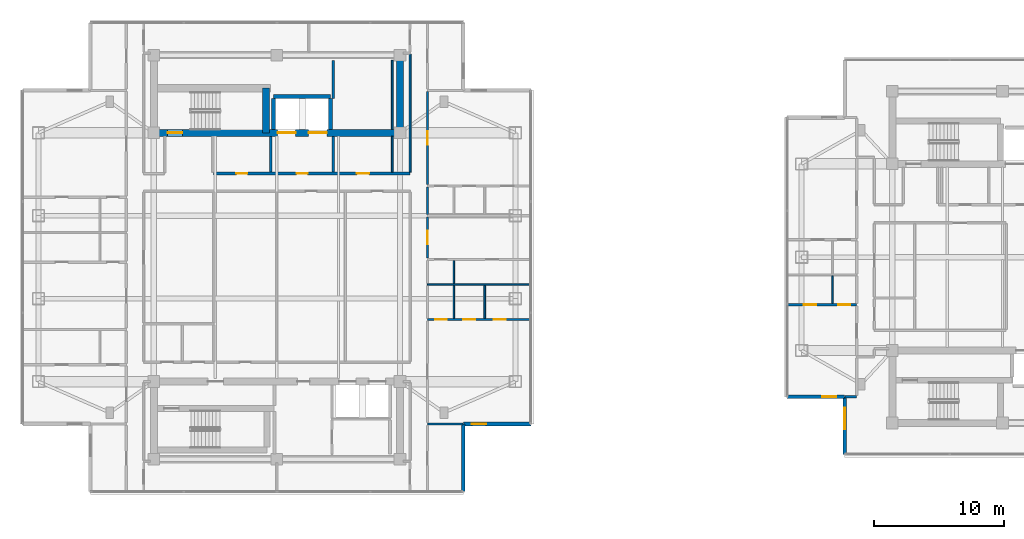
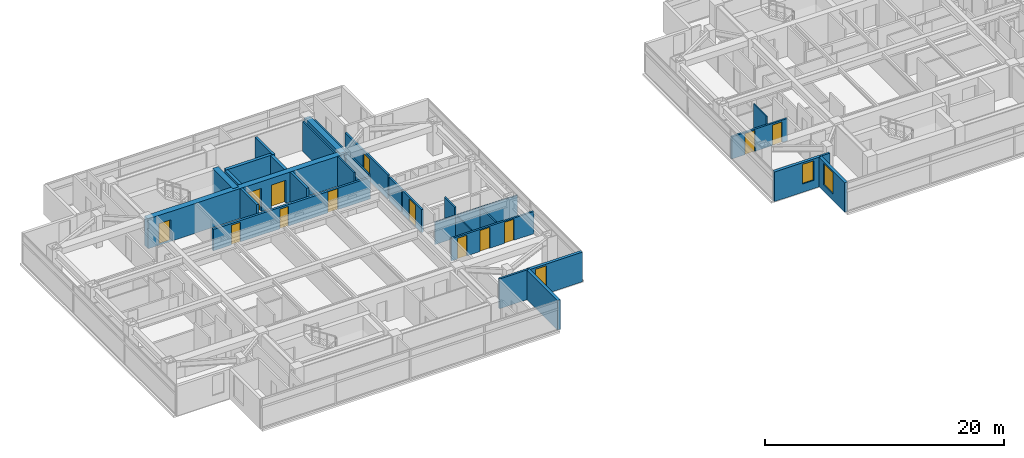
# One storey, part 14 of 24: 29 walls, 13 doors, 3 windows, 16 openings.
"""IFC4 building model written with IfcOpenShell, lengths in metres."""

from ifc_helpers import new_model, si_unit, direction, frame, frame_2d, origin, place, context, subcontext, project, spatial, rectangle, extrude, material, layer, layer_set, type_object, element, fill, save


model = new_model("IFC4")

# Units and contexts
model_context = context("Model", 3, precision=1e-05, world=origin(), true_north=direction((0.0, 1.0)))
body_context = subcontext(model_context, "Body", "Model", "MODEL_VIEW")
ifc_project = project(units=[si_unit("LENGTHUNIT", "METRE"), si_unit("AREAUNIT", "SQUARE_METRE"), si_unit("VOLUMEUNIT", "CUBIC_METRE"), si_unit("PLANEANGLEUNIT", "RADIAN"), si_unit("MASSUNIT", "GRAM", prefix="KILO")], contexts=[model_context])

# Site, building, storey
site_placement = place(None, origin())
site = spatial("IfcSite", under=ifc_project, at=site_placement, CompositionType="ELEMENT")
building_placement = place(site_placement, origin())
building = spatial("IfcBuilding", under=site, at=building_placement, Name="Mirazonda Arch Towers", CompositionType="ELEMENT")
storey_placement = place(building_placement, frame((0.0, 0.0, 186.89990234375)))
storey = spatial("IfcBuildingStorey", under=building, at=storey_placement, Name="L53", CompositionType="ELEMENT", Elevation=186.89990234375)

# Wall
ifc_material_1 = material(Name="Concrete C50/60", Category="concrete")
ifc_layer_1 = layer(ifc_material_1, 0.550048828125, Name="WALL-CORE-550")
ifc_layer_set_1 = layer_set([ifc_layer_1], Name="Concrete C50/60")
wall_type_1 = type_object("IfcWallType", Name="WALL-CORE-550", PredefinedType="SHEAR", material=ifc_layer_set_1)
wall_1_placement = place(storey_placement, frame((30.0, 37.60009765625, 0.0), z_axis=(0.0, 0.0, 1.0), x_axis=(0.0, 1.0, 0.0)))
element("IfcWall", 1, at=wall_1_placement, inside=storey, type_object=wall_type_1, Name="L53 T1N-E Core Shear Wall", PredefinedType="SHEAR", context=body_context, shape_type="SweptSolid", body=[
    extrude(rectangle(XDim=6.0, YDim=0.550048828125, at=frame_2d((3.0, 0.0))), origin(), (0.0, 0.0, 1.0), 3.050048828125),
])

# Wall, openings, doors
wall_2_placement = place(storey_placement, frame((11.0, 37.60009765625, 0.0), z_axis=(0.0, 0.0, 1.0), x_axis=(1.0, 0.0, 0.0)))
wall_2 = element("IfcWall", 2, at=wall_2_placement, inside=storey, type_object=wall_type_1, Name="L53 T1N-S Core Shear Wall", PredefinedType="SHEAR", context=body_context, shape_type="SweptSolid", body=[
    extrude(rectangle(XDim=19.0, YDim=0.550048828125, at=frame_2d((9.5, 0.0))), origin(), (0.0, 0.0, 1.0), 3.050048828125),
])
opening_1_placement = place(wall_2_placement, frame((1.06005859375, 0.0, 0.0)))
opening_1 = element("IfcOpeningElement", 3, at=opening_1_placement, cuts=wall_2, Name="Opening DR-135", PredefinedType="OPENING", context=body_context, shape_type="SweptSolid", body=[
    extrude(rectangle(XDim=1.14990234375, YDim=2.199951171875, at=frame_2d((0.574951171875, 1.10009765625))), frame((0.0, 0.284912109375, 0.0), z_axis=(0.0, -1.0, 0.0), x_axis=(1.0, 0.0, 0.0)), (0.0, 0.0, 1.0), 0.570068359375),
])
opening_2_placement = place(wall_2_placement, frame((9.550048828125, 0.0, 0.0)))
opening_2 = element("IfcOpeningElement", 4, at=opening_2_placement, cuts=wall_2, Name="Opening LD-112", PredefinedType="OPENING", context=body_context, shape_type="SweptSolid", body=[
    extrude(rectangle(XDim=1.39990234375, YDim=2.35009765625, at=frame_2d((0.699951171875, 1.175048828125))), frame((0.0, 0.284912109375, 0.0), z_axis=(0.0, -1.0, 0.0), x_axis=(1.0, 0.0, 0.0)), (0.0, 0.0, 1.0), 0.570068359375),
])
opening_3_placement = place(wall_2_placement, frame((11.949951171875, 0.0, 0.0)))
opening_3 = element("IfcOpeningElement", 5, at=opening_3_placement, cuts=wall_2, Name="Opening LD-112", PredefinedType="OPENING", context=body_context, shape_type="SweptSolid", body=[
    extrude(rectangle(XDim=1.39990234375, YDim=2.35009765625, at=frame_2d((0.699951171875, 1.175048828125))), frame((0.0, 0.284912109375, 0.0), z_axis=(0.0, -1.0, 0.0), x_axis=(1.0, 0.0, 0.0)), (0.0, 0.0, 1.0), 0.570068359375),
])
ifc_material_2 = material(Name="Architectural Brushed Steel S355", Category="steel")
door_type_1 = type_object("IfcDoorType", Name="DOOR-LIFT-FFL-1400", OperationType="NOTDEFINED", PredefinedType="DOOR", material=ifc_material_2)
door_1_placement = place(opening_2_placement, origin())
door_1 = element("IfcDoor", 6, at=door_1_placement, inside=storey, type_object=door_type_1, Name="L53 Lift Landing Sliding Door FFL-T1", OperationType="DOUBLE_DOOR_SLIDING", OverallHeight=2.35009765625, OverallWidth=1.39990234375, PredefinedType="DOOR", context=body_context, shape_type="SweptSolid", body=[
    extrude(rectangle(XDim=1.39990234375, YDim=2.35009765625, at=frame_2d((0.699951171875, 1.175048828125))), frame((0.0, 0.02490234375, 0.0), z_axis=(0.0, -1.0, 0.0), x_axis=(1.0, 0.0, 0.0)), (0.0, 0.0, 1.0), 0.050048828125),
])
fill(opening_2, door_1)
door_2_placement = place(opening_3_placement, origin())
door_2 = element("IfcDoor", 7, at=door_2_placement, inside=storey, type_object=door_type_1, Name="L53 Lift Landing Sliding Door SVL-T1", OperationType="DOUBLE_DOOR_SLIDING", OverallHeight=2.35009765625, OverallWidth=1.39990234375, PredefinedType="DOOR", context=body_context, shape_type="SweptSolid", body=[
    extrude(rectangle(XDim=1.39990234375, YDim=2.35009765625, at=frame_2d((0.699951171875, 1.175048828125))), frame((0.0, 0.02490234375, 0.0), z_axis=(0.0, -1.0, 0.0), x_axis=(1.0, 0.0, 0.0)), (0.0, 0.0, 1.0), 0.050048828125),
])
fill(opening_3, door_2)
door_type_2 = type_object("IfcDoorType", Name="DOOR-STAIR-FD90-1150", OperationType="NOTDEFINED", PredefinedType="DOOR", material=ifc_material_2)
door_3_placement = place(opening_1_placement, origin())
door_3 = element("IfcDoor", 8, at=door_3_placement, inside=storey, type_object=door_type_2, Name="L53 Protected Exit Stair North Door", OperationType="SINGLE_SWING_LEFT", OverallHeight=2.199951171875, OverallWidth=1.14990234375, PredefinedType="DOOR", context=body_context, shape_type="SweptSolid", body=[
    extrude(rectangle(XDim=1.14990234375, YDim=2.199951171875, at=frame_2d((0.574951171875, 1.10009765625))), frame((0.0, 0.02490234375, 0.0), z_axis=(0.0, -1.0, 0.0), x_axis=(1.0, 0.0, 0.0)), (0.0, 0.0, 1.0), 0.050048828125),
])
fill(opening_1, door_3)

# Wall
wall_3_placement = place(storey_placement, frame((19.64990234375, 37.60009765625, 0.0), z_axis=(0.0, 0.0, 1.0), x_axis=(0.0, 1.0, 0.0)))
element("IfcWall", 9, at=wall_3_placement, inside=storey, type_object=wall_type_1, Name="L53 T1N-STE Core Shear Wall", PredefinedType="SHEAR", context=body_context, shape_type="SweptSolid", body=[
    extrude(rectangle(XDim=3.44287109375, YDim=0.550048828125, at=frame_2d((1.721435546875, 0.0))), origin(), (0.0, 0.0, 1.0), 3.050048828125),
])

# Wall, opening, window
ifc_material_3 = material(Name="Precast Concrete C40/50", Category="concrete")
ifc_layer_2 = layer(ifc_material_3, 0.280029296875, Name="WALL-EXT-WALL-280")
ifc_layer_set_2 = layer_set([ifc_layer_2], Name="Precast Concrete C40/50")
wall_type_2 = type_object("IfcWallType", Name="WALL-EXT-WALL-280", PredefinedType="SOLIDWALL", material=ifc_layer_set_2)
wall_4_placement = place(storey_placement, frame((34.89501953125, 15.126953125, 0.0), z_axis=(0.0, 0.0, 1.0), x_axis=(1.0, 0.0, 0.0)))
wall_4 = element("IfcWall", 10, at=wall_4_placement, inside=storey, type_object=wall_type_2, Name="L53 T1 Corner Notch Return Wall WL-L53-T1-CSE1", PredefinedType="SOLIDWALL", context=body_context, shape_type="SweptSolid", body=[
    extrude(rectangle(XDim=5.215087890625, YDim=0.280029296875, at=frame_2d((2.607421875, 0.0))), origin(), (0.0, 0.0, 1.0), 3.030029296875),
])
opening_4_placement = place(wall_4_placement, frame((0.64990234375, 0.0, 0.85009765625)))
opening_4 = element("IfcOpeningElement", 11, at=opening_4_placement, cuts=wall_4, Name="Opening WN-108", PredefinedType="OPENING", context=body_context, shape_type="SweptSolid", body=[
    extrude(rectangle(XDim=1.10009765625, YDim=2.0, at=frame_2d((0.550048828125, 1.0))), frame((0.0, 0.14990234375, 0.0), z_axis=(0.0, -1.0, 0.0), x_axis=(1.0, 0.0, 0.0)), (0.0, 0.0, 1.0), 0.300048828125),
])
ifc_material_4 = material(Name="Insulated Low-E Solar Glass", Category="glass")
window_type_1 = type_object("IfcWindowType", Name="WIN-NOTCH-1100x2000", PartitioningType="SINGLE_PANEL", PredefinedType="WINDOW", material=ifc_material_4)
window_1_placement = place(opening_4_placement, origin())
window_1 = element("IfcWindow", 12, at=window_1_placement, inside=storey, type_object=window_type_1, Name="L53 Punched Facade Window WN-L53-T1-CSE1", OverallHeight=2.0, OverallWidth=1.10009765625, PartitioningType="SINGLE_PANEL", PredefinedType="WINDOW", context=body_context, shape_type="SweptSolid", body=[
    extrude(rectangle(XDim=1.10009765625, YDim=2.0, at=frame_2d((0.550048828125, 1.0))), frame((0.0, 0.030029296875, 0.0), z_axis=(0.0, -1.0, 0.0), x_axis=(1.0, 0.0, 0.0)), (0.0, 0.0, 1.0), 0.06005859375),
])
fill(opening_4, window_1)

# Wall
wall_5_placement = place(storey_placement, frame((34.89501953125, 9.912109375, 0.0), z_axis=(0.0, 0.0, 1.0), x_axis=(0.0, 1.0, 0.0)))
element("IfcWall", 13, at=wall_5_placement, inside=storey, type_object=wall_type_2, Name="L53 T1 Corner Notch Return Wall WL-L53-T1-CSE2", PredefinedType="SOLIDWALL", context=body_context, shape_type="SweptSolid", body=[
    extrude(rectangle(XDim=5.21484375, YDim=0.280029296875, at=frame_2d((2.607421875, 0.0))), origin(), (0.0, 0.0, 1.0), 3.030029296875),
])

# Wall, opening, window
wall_6_placement = place(storey_placement, frame((64.32421875, 17.218017578125, 0.0), z_axis=(0.0, 0.0, 1.0), x_axis=(0.0, -1.0, 0.0)))
wall_6 = element("IfcWall", 14, at=wall_6_placement, inside=storey, type_object=wall_type_2, Name="L53 T2 Notched SW Corner Wall WL-L53-T2-CSW", PredefinedType="SOLIDWALL", context=body_context, shape_type="SweptSolid", body=[
    extrude(rectangle(XDim=4.439697265625, YDim=0.280029296875, at=frame_2d((2.2197265625, 0.0))), origin(), (0.0, 0.0, 1.0), 3.030029296875),
])
opening_5_placement = place(wall_6_placement, frame((0.85009765625, 0.0, 0.679931640625)))
opening_5 = element("IfcOpeningElement", 15, at=opening_5_placement, cuts=wall_6, Name="Opening WN-115", PredefinedType="OPENING", context=body_context, shape_type="SweptSolid", body=[
    extrude(rectangle(XDim=1.64990234375, YDim=2.199951171875, at=frame_2d((0.824951171875, 1.10009765625))), frame((0.0, 0.14990234375, 0.0), z_axis=(0.0, -1.0, 0.0), x_axis=(1.0, 0.0, 0.0)), (0.0, 0.0, 1.0), 0.300048828125),
])
window_type_2 = type_object("IfcWindowType", Name="WIN-RES-1650x2200", PartitioningType="SINGLE_PANEL", PredefinedType="WINDOW", material=ifc_material_4)
window_2_placement = place(opening_5_placement, origin())
window_2 = element("IfcWindow", 16, at=window_2_placement, inside=storey, type_object=window_type_2, Name="L53 Punched Facade Window WN-L53-T2-CSW", OverallHeight=2.199951171875, OverallWidth=1.64990234375, PartitioningType="SINGLE_PANEL", PredefinedType="WINDOW", context=body_context, shape_type="SweptSolid", body=[
    extrude(rectangle(XDim=1.64990234375, YDim=2.199951171875, at=frame_2d((0.824951171875, 1.10009765625))), frame((0.0, 0.030029296875, 0.0), z_axis=(0.0, -1.0, 0.0), x_axis=(1.0, 0.0, 0.0)), (0.0, 0.0, 1.0), 0.06005859375),
])
fill(opening_5, window_2)

wall_7_placement = place(storey_placement, frame((59.884521484375, 17.218017578125, 0.0), z_axis=(0.0, 0.0, 1.0), x_axis=(1.0, 0.0, 0.0)))
wall_7 = element("IfcWall", 17, at=wall_7_placement, inside=storey, type_object=wall_type_2, Name="L53 T2 Corner Notch Return Wall WL-L53-T2-CSW2", PredefinedType="SOLIDWALL", context=body_context, shape_type="SweptSolid", body=[
    extrude(rectangle(XDim=4.439697265625, YDim=0.280029296875, at=frame_2d((2.2197265625, 0.0))), origin(), (0.0, 0.0, 1.0), 3.030029296875),
])
opening_6_placement = place(wall_7_placement, frame((2.68994140625, 0.0, 0.85009765625)))
opening_6 = element("IfcOpeningElement", 18, at=opening_6_placement, cuts=wall_7, Name="Opening WN-108", PredefinedType="OPENING", context=body_context, shape_type="SweptSolid", body=[
    extrude(rectangle(XDim=1.10009765625, YDim=2.0, at=frame_2d((0.550048828125, 1.0))), frame((0.0, 0.14990234375, 0.0), z_axis=(0.0, -1.0, 0.0), x_axis=(1.0, 0.0, 0.0)), (0.0, 0.0, 1.0), 0.300048828125),
])
window_3_placement = place(opening_6_placement, origin())
window_3 = element("IfcWindow", 19, at=window_3_placement, inside=storey, type_object=window_type_1, Name="L53 Punched Facade Window WN-L53-T2-CSW2", OverallHeight=2.0, OverallWidth=1.10009765625, PartitioningType="SINGLE_PANEL", PredefinedType="WINDOW", context=body_context, shape_type="SweptSolid", body=[
    extrude(rectangle(XDim=1.10009765625, YDim=2.0, at=frame_2d((0.550048828125, 1.0))), frame((0.0, 0.030029296875, 0.0), z_axis=(0.0, -1.0, 0.0), x_axis=(1.0, 0.0, 0.0)), (0.0, 0.0, 1.0), 0.06005859375),
])
fill(opening_6, window_3)

# Wall, openings, doors
ifc_material_5 = material(Name="Concrete C40/50", Category="concrete")
ifc_layer_3 = layer(ifc_material_5, 0.219970703125, Name="WALL-FFL-220")
ifc_layer_set_3 = layer_set([ifc_layer_3], Name="Concrete C40/50")
wall_type_3 = type_object("IfcWallType", Name="WALL-FFL-220", PredefinedType="SOLIDWALL", material=ifc_layer_set_3)
wall_8_placement = place(storey_placement, frame((15.590087890625, 34.449951171875, 0.0), z_axis=(0.0, 0.0, 1.0), x_axis=(1.0, 0.0, 0.0)))
wall_8 = element("IfcWall", 20, at=wall_8_placement, inside=storey, type_object=wall_type_3, Name="L53 Interior Partition 049", PredefinedType="SOLIDWALL", context=body_context, shape_type="SweptSolid", body=[
    extrude(rectangle(XDim=15.18994140625, YDim=0.219970703125, at=frame_2d((7.594970703125, 0.0))), origin(), (0.0, 0.0, 1.0), 2.18603515625),
])
opening_7_placement = place(wall_8_placement, frame((6.43505859375, 0.0, 0.0)))
opening_7 = element("IfcOpeningElement", 21, at=opening_7_placement, cuts=wall_8, Name="Opening DR-128", PredefinedType="OPENING", context=body_context, shape_type="SweptSolid", body=[
    extrude(rectangle(XDim=0.85009765625, YDim=2.010009765625, at=frame_2d((0.425048828125, 1.0048828125))), frame((0.0, 0.119873046875, 0.0), z_axis=(0.0, -1.0, 0.0), x_axis=(1.0, 0.0, 0.0)), (0.0, 0.0, 1.0), 0.239990234375),
])
opening_8_placement = place(wall_8_placement, frame((11.0849609375, 0.0, 0.0)))
opening_8 = element("IfcOpeningElement", 22, at=opening_8_placement, cuts=wall_8, Name="Opening DR-104", PredefinedType="OPENING", context=body_context, shape_type="SweptSolid", body=[
    extrude(rectangle(XDim=0.949951171875, YDim=2.14990234375, at=frame_2d((0.47509765625, 1.074951171875))), frame((0.0, 0.119873046875, 0.0), z_axis=(0.0, -1.0, 0.0), x_axis=(1.0, 0.0, 0.0)), (0.0, 0.0, 1.0), 0.239990234375),
])
opening_9_placement = place(wall_8_placement, frame((1.77490234375, 0.0, 0.0)))
opening_9 = element("IfcOpeningElement", 23, at=opening_9_placement, cuts=wall_8, Name="Opening DR-128", PredefinedType="OPENING", context=body_context, shape_type="SweptSolid", body=[
    extrude(rectangle(XDim=0.85009765625, YDim=2.010009765625, at=frame_2d((0.425048828125, 1.0048828125))), frame((0.0, 0.119873046875, 0.0), z_axis=(0.0, -1.0, 0.0), x_axis=(1.0, 0.0, 0.0)), (0.0, 0.0, 1.0), 0.239990234375),
])
door_type_3 = type_object("IfcDoorType", Name="DOOR-RISER-FD60-850", OperationType="NOTDEFINED", PredefinedType="DOOR", material=ifc_material_2)
door_4_placement = place(opening_7_placement, origin())
door_4 = element("IfcDoor", 24, at=door_4_placement, inside=storey, type_object=door_type_3, Name="L53 Firefighting Lift Lobby Door", OperationType="SINGLE_SWING_RIGHT", OverallHeight=2.010009765625, OverallWidth=0.85009765625, PredefinedType="DOOR", context=body_context, shape_type="SweptSolid", body=[
    extrude(rectangle(XDim=0.85009765625, YDim=2.010009765625, at=frame_2d((0.425048828125, 1.0048828125))), frame((0.0, 0.02490234375, 0.0), z_axis=(0.0, -1.0, 0.0), x_axis=(1.0, 0.0, 0.0)), (0.0, 0.0, 1.0), 0.050048828125),
])
fill(opening_7, door_4)
door_5_placement = place(opening_9_placement, origin())
door_5 = element("IfcDoor", 25, at=door_5_placement, inside=storey, type_object=door_type_3, Name="L53 Housekeeping Linen Room Door", OperationType="SINGLE_SWING_RIGHT", OverallHeight=2.010009765625, OverallWidth=0.85009765625, PredefinedType="DOOR", context=body_context, shape_type="SweptSolid", body=[
    extrude(rectangle(XDim=0.85009765625, YDim=2.010009765625, at=frame_2d((0.425048828125, 1.0048828125))), frame((0.0, 0.02490234375, 0.0), z_axis=(0.0, -1.0, 0.0), x_axis=(1.0, 0.0, 0.0)), (0.0, 0.0, 1.0), 0.050048828125),
])
fill(opening_9, door_5)
door_type_4 = type_object("IfcDoorType", Name="DOOR-ROOM-950", OperationType="NOTDEFINED", PredefinedType="DOOR", material=ifc_material_2)
door_6_placement = place(opening_8_placement, origin())
door_6 = element("IfcDoor", 26, at=door_6_placement, inside=storey, type_object=door_type_4, Name="L53 Residents Private Art Gallery Door", OperationType="SINGLE_SWING_LEFT", OverallHeight=2.14990234375, OverallWidth=0.949951171875, PredefinedType="DOOR", context=body_context, shape_type="SweptSolid", body=[
    extrude(rectangle(XDim=0.949951171875, YDim=2.14990234375, at=frame_2d((0.47509765625, 1.074951171875))), frame((0.0, 0.02490234375, 0.0), z_axis=(0.0, -1.0, 0.0), x_axis=(1.0, 0.0, 0.0)), (0.0, 0.0, 1.0), 0.050048828125),
])
fill(opening_8, door_6)

# Walls
for number, where, z_axis, x_axis, name in (
    (27, (20.02490234375, 34.570068359375, 0.0), (0.0, 0.0, 1.0), (0.0, 1.0, 0.0), "L53 Interior Partition 084"),
    (28, (24.85009765625, 34.570068359375, 0.0), (0.0, 0.0, 1.0), (0.0, 1.0, 0.0), "L53 Interior Partition 094"),
):
    element("IfcWall", number, at=place(storey_placement, frame(where, z_axis=z_axis, x_axis=x_axis)), inside=storey, type_object=wall_type_3, Name=name, PredefinedType="SOLIDWALL", context=body_context, shape_type="SweptSolid", body=[
        extrude(rectangle(XDim=2.760009765625, YDim=0.219970703125, at=frame_2d((1.3798828125, 0.0))), origin(), (0.0, 0.0, 1.0), 3.050048828125),
    ])
wall_9_placement = place(storey_placement, frame((24.85009765625, 40.260009765625, 0.0), z_axis=(0.0, 0.0, 1.0), x_axis=(0.0, 1.0, 0.0)))
element("IfcWall", 29, at=wall_9_placement, inside=storey, type_object=wall_type_3, Name="L53 Interior Partition 095", PredefinedType="SOLIDWALL", context=body_context, shape_type="SweptSolid", body=[
    extrude(rectangle(XDim=2.93994140625, YDim=0.219970703125, at=frame_2d((1.469970703125, 0.0))), origin(), (0.0, 0.0, 1.0), 3.050048828125),
])
ifc_material_6 = material(Name="Fire-Rated Gypsum Stud Partition")
ifc_layer_4 = layer(ifc_material_6, 0.14990234375, Name="WALL-PART-CORR-150")
ifc_layer_set_4 = layer_set([ifc_layer_4], Name="Fire-Rated Gypsum Stud Partition")
wall_type_4 = type_object("IfcWallType", Name="WALL-PART-CORR-150", PredefinedType="PARTITIONING", material=ifc_layer_set_4)
wall_10_placement = place(storey_placement, frame((29.39990234375, 34.570068359375, 0.0), z_axis=(0.0, 0.0, 1.0), x_axis=(0.0, 1.0, 0.0)))
element("IfcWall", 30, at=wall_10_placement, inside=storey, type_object=wall_type_4, Name="L53 Interior Partition 099", PredefinedType="PARTITIONING", context=body_context, shape_type="SweptSolid", body=[
    extrude(rectangle(XDim=2.760009765625, YDim=0.14990234375, at=frame_2d((1.3798828125, 0.0))), origin(), (0.0, 0.0, 1.0), 3.050048828125),
])
wall_11_placement = place(storey_placement, frame((29.39990234375, 37.8701171875, 0.0), z_axis=(0.0, 0.0, 1.0), x_axis=(0.0, 1.0, 0.0)))
element("IfcWall", 31, at=wall_11_placement, inside=storey, type_object=wall_type_4, Name="L53 Interior Partition 100", PredefinedType="PARTITIONING", context=body_context, shape_type="SweptSolid", body=[
    extrude(rectangle(XDim=5.329833984375, YDim=0.14990234375, at=frame_2d((2.6650390625, 0.0))), origin(), (0.0, 0.0, 1.0), 3.050048828125),
])
wall_12_placement = place(storey_placement, frame((30.780029296875, 34.570068359375, 0.0), z_axis=(0.0, 0.0, 1.0), x_axis=(0.0, 1.0, 0.0)))
element("IfcWall", 32, at=wall_12_placement, inside=storey, type_object=wall_type_4, Name="L53 Interior Partition 104", PredefinedType="PARTITIONING", context=body_context, shape_type="SweptSolid", body=[
    extrude(rectangle(XDim=9.094970703125, YDim=0.14990234375, at=frame_2d((4.54736328125, 0.0))), origin(), (0.0, 0.0, 1.0), 2.442138671875),
])
ifc_material_7 = material(Name="Fire-Rated Gypsum Twin-Stud Assembly")
ifc_layer_5 = layer(ifc_material_7, 0.179931640625, Name="WALL-PART-DEMISE-180")
ifc_layer_set_5 = layer_set([ifc_layer_5], Name="Fire-Rated Gypsum Twin-Stud Assembly")
wall_type_5 = type_object("IfcWallType", Name="WALL-PART-DEMISE-180", PredefinedType="PARTITIONING", material=ifc_layer_set_5)
wall_13_placement = place(storey_placement, frame((32.1201171875, 15.126953125, 0.0), z_axis=(0.0, 0.0, 1.0), x_axis=(1.0, 0.0, 0.0)))
element("IfcWall", 33, at=wall_13_placement, inside=storey, type_object=wall_type_5, Name="L53 Interior Partition 005", PredefinedType="PARTITIONING", context=body_context, shape_type="SweptSolid", body=[
    extrude(rectangle(XDim=2.7548828125, YDim=0.179931640625, at=frame_2d((1.37744140625, 0.0))), origin(), (0.0, 0.0, 1.0), 3.050048828125),
])
wall_14_placement = place(storey_placement, frame((64.34423828125, 17.218017578125, 0.0), z_axis=(0.0, 0.0, 1.0), x_axis=(1.0, 0.0, 0.0)))
element("IfcWall", 34, at=wall_14_placement, inside=storey, type_object=wall_type_5, Name="L53 Interior Partition 008", PredefinedType="PARTITIONING", context=body_context, shape_type="SweptSolid", body=[
    extrude(rectangle(XDim=0.90576171875, YDim=0.179931640625, at=frame_2d((0.452880859375, 0.0))), origin(), (0.0, 0.0, 1.0), 3.050048828125),
])

# Wall, openings, doors
wall_15_placement = place(storey_placement, frame((32.1201171875, 23.18603515625, 0.0), z_axis=(0.0, 0.0, 1.0), x_axis=(1.0, 0.0, 0.0)))
wall_15 = element("IfcWall", 35, at=wall_15_placement, inside=storey, type_object=wall_type_5, Name="L53 Interior Partition 024", PredefinedType="PARTITIONING", context=body_context, shape_type="SweptSolid", body=[
    extrude(rectangle(XDim=7.989990234375, YDim=0.179931640625, at=frame_2d((3.9951171875, 0.0))), origin(), (0.0, 0.0, 1.0), 2.26904296875),
])
opening_10_placement = place(wall_15_placement, frame((5.110107421875, 0.0, 0.0)))
opening_10 = element("IfcOpeningElement", 36, at=opening_10_placement, cuts=wall_15, Name="Opening DR-104", PredefinedType="OPENING", context=body_context, shape_type="SweptSolid", body=[
    extrude(rectangle(XDim=0.949951171875, YDim=2.14990234375, at=frame_2d((0.47509765625, 1.074951171875))), frame((0.0, 0.099853515625, 0.0), z_axis=(0.0, -1.0, 0.0), x_axis=(1.0, 0.0, 0.0)), (0.0, 0.0, 1.0), 0.199951171875),
])
opening_11_placement = place(wall_15_placement, frame((2.7548828125, 0.0, 0.0)))
opening_11 = element("IfcOpeningElement", 37, at=opening_11_placement, cuts=wall_15, Name="Opening DR-104", PredefinedType="OPENING", context=body_context, shape_type="SweptSolid", body=[
    extrude(rectangle(XDim=0.949951171875, YDim=2.14990234375, at=frame_2d((0.47509765625, 1.074951171875))), frame((0.0, 0.099853515625, 0.0), z_axis=(0.0, -1.0, 0.0), x_axis=(1.0, 0.0, 0.0)), (0.0, 0.0, 1.0), 0.199951171875),
])
opening_12_placement = place(wall_15_placement, frame((0.590087890625, 0.0, 0.0)))
opening_12 = element("IfcOpeningElement", 38, at=opening_12_placement, cuts=wall_15, Name="Opening DR-120", PredefinedType="OPENING", context=body_context, shape_type="SweptSolid", body=[
    extrude(rectangle(XDim=0.89990234375, YDim=2.10009765625, at=frame_2d((0.449951171875, 1.050048828125))), frame((0.0, 0.099853515625, 0.0), z_axis=(0.0, -1.0, 0.0), x_axis=(1.0, 0.0, 0.0)), (0.0, 0.0, 1.0), 0.199951171875),
])
door_7_placement = place(opening_10_placement, origin())
door_7 = element("IfcDoor", 39, at=door_7_placement, inside=storey, type_object=door_type_4, Name="L53 Residence 1 Principal Bedroom Door", OperationType="SINGLE_SWING_RIGHT", OverallHeight=2.14990234375, OverallWidth=0.949951171875, PredefinedType="DOOR", context=body_context, shape_type="SweptSolid", body=[
    extrude(rectangle(XDim=0.949951171875, YDim=2.14990234375, at=frame_2d((0.47509765625, 1.074951171875))), frame((0.0, 0.02490234375, 0.0), z_axis=(0.0, -1.0, 0.0), x_axis=(1.0, 0.0, 0.0)), (0.0, 0.0, 1.0), 0.050048828125),
])
fill(opening_10, door_7)
door_8_placement = place(opening_11_placement, origin())
door_8 = element("IfcDoor", 40, at=door_8_placement, inside=storey, type_object=door_type_4, Name="L53 Residence 1 Fitted Kitchen Door", OperationType="SINGLE_SWING_LEFT", OverallHeight=2.14990234375, OverallWidth=0.949951171875, PredefinedType="DOOR", context=body_context, shape_type="SweptSolid", body=[
    extrude(rectangle(XDim=0.949951171875, YDim=2.14990234375, at=frame_2d((0.47509765625, 1.074951171875))), frame((0.0, 0.02490234375, 0.0), z_axis=(0.0, -1.0, 0.0), x_axis=(1.0, 0.0, 0.0)), (0.0, 0.0, 1.0), 0.050048828125),
])
fill(opening_11, door_8)
door_type_5 = type_object("IfcDoorType", Name="DOOR-WC-900", OperationType="NOTDEFINED", PredefinedType="DOOR", material=ifc_material_2)
door_9_placement = place(opening_12_placement, origin())
door_9 = element("IfcDoor", 41, at=door_9_placement, inside=storey, type_object=door_type_5, Name="L53 Residence 1 Bathroom Door", OperationType="SINGLE_SWING_RIGHT", OverallHeight=2.10009765625, OverallWidth=0.89990234375, PredefinedType="DOOR", context=body_context, shape_type="SweptSolid", body=[
    extrude(rectangle(XDim=0.89990234375, YDim=2.10009765625, at=frame_2d((0.449951171875, 1.050048828125))), frame((0.0, 0.02490234375, 0.0), z_axis=(0.0, -1.0, 0.0), x_axis=(1.0, 0.0, 0.0)), (0.0, 0.0, 1.0), 0.050048828125),
])
fill(opening_12, door_9)

wall_16_placement = place(storey_placement, frame((59.884033203125, 24.33203125, 0.0), z_axis=(0.0, 0.0, 1.0), x_axis=(1.0, 0.0, 0.0)))
wall_16 = element("IfcWall", 42, at=wall_16_placement, inside=storey, type_object=wall_type_5, Name="L53 Interior Partition 026", PredefinedType="PARTITIONING", context=body_context, shape_type="SweptSolid", body=[
    extrude(rectangle(XDim=5.365966796875, YDim=0.179931640625, at=frame_2d((2.68310546875, 0.0))), origin(), (0.0, 0.0, 1.0), 2.26904296875),
])
opening_13_placement = place(wall_16_placement, frame((1.2880859375, 0.0, 0.0)))
opening_13 = element("IfcOpeningElement", 43, at=opening_13_placement, cuts=wall_16, Name="Opening DR-104", PredefinedType="OPENING", context=body_context, shape_type="SweptSolid", body=[
    extrude(rectangle(XDim=0.949951171875, YDim=2.14990234375, at=frame_2d((0.47509765625, 1.074951171875))), frame((0.0, 0.099853515625, 0.0), z_axis=(0.0, -1.0, 0.0), x_axis=(1.0, 0.0, 0.0)), (0.0, 0.0, 1.0), 0.199951171875),
])
opening_14_placement = place(wall_16_placement, frame((3.9560546875, 0.0, 0.0)))
opening_14 = element("IfcOpeningElement", 44, at=opening_14_placement, cuts=wall_16, Name="Opening DR-120", PredefinedType="OPENING", context=body_context, shape_type="SweptSolid", body=[
    extrude(rectangle(XDim=0.89990234375, YDim=2.10009765625, at=frame_2d((0.449951171875, 1.050048828125))), frame((0.0, 0.099853515625, 0.0), z_axis=(0.0, -1.0, 0.0), x_axis=(1.0, 0.0, 0.0)), (0.0, 0.0, 1.0), 0.199951171875),
])
door_10_placement = place(opening_13_placement, origin())
door_10 = element("IfcDoor", 45, at=door_10_placement, inside=storey, type_object=door_type_4, Name="L53 Studio 1 Galley Kitchen Door", OperationType="SINGLE_SWING_RIGHT", OverallHeight=2.14990234375, OverallWidth=0.949951171875, PredefinedType="DOOR", context=body_context, shape_type="SweptSolid", body=[
    extrude(rectangle(XDim=0.949951171875, YDim=2.14990234375, at=frame_2d((0.47509765625, 1.074951171875))), frame((0.0, 0.02490234375, 0.0), z_axis=(0.0, -1.0, 0.0), x_axis=(1.0, 0.0, 0.0)), (0.0, 0.0, 1.0), 0.050048828125),
])
fill(opening_13, door_10)
door_11_placement = place(opening_14_placement, origin())
door_11 = element("IfcDoor", 46, at=door_11_placement, inside=storey, type_object=door_type_5, Name="L53 Studio 1 Bathroom Door", OperationType="SINGLE_SWING_LEFT", OverallHeight=2.10009765625, OverallWidth=0.89990234375, PredefinedType="DOOR", context=body_context, shape_type="SweptSolid", body=[
    extrude(rectangle(XDim=0.89990234375, YDim=2.10009765625, at=frame_2d((0.449951171875, 1.050048828125))), frame((0.0, 0.02490234375, 0.0), z_axis=(0.0, -1.0, 0.0), x_axis=(1.0, 0.0, 0.0)), (0.0, 0.0, 1.0), 0.050048828125),
])
fill(opening_14, door_11)

# Wall, opening, door
wall_17_placement = place(storey_placement, frame((32.1201171875, 27.926025390625, 0.0), z_axis=(0.0, 0.0, 1.0), x_axis=(0.0, 1.0, 0.0)))
wall_17 = element("IfcWall", 47, at=wall_17_placement, inside=storey, type_object=wall_type_5, Name="L53 Interior Partition 110", PredefinedType="PARTITIONING", context=body_context, shape_type="SweptSolid", body=[
    extrude(rectangle(XDim=3.174072265625, YDim=0.179931640625, at=frame_2d((1.5869140625, 0.0))), origin(), (0.0, 0.0, 1.0), 2.34619140625),
])
opening_15_placement = place(wall_17_placement, frame((1.06201171875, 0.0, 0.0)))
opening_15 = element("IfcOpeningElement", 48, at=opening_15_placement, cuts=wall_17, Name="Opening DR-121", PredefinedType="OPENING", context=body_context, shape_type="SweptSolid", body=[
    extrude(rectangle(XDim=1.050048828125, YDim=2.199951171875, at=frame_2d((0.52490234375, 1.10009765625))), frame((0.0, 0.099853515625, 0.0), z_axis=(0.0, -1.0, 0.0), x_axis=(1.0, 0.0, 0.0)), (0.0, 0.0, 1.0), 0.199951171875),
])
door_type_6 = type_object("IfcDoorType", Name="DOOR-SUITE-FD60-1050", OperationType="NOTDEFINED", PredefinedType="DOOR", material=ifc_material_2)
door_12_placement = place(opening_15_placement, origin())
door_12 = element("IfcDoor", 49, at=door_12_placement, inside=storey, type_object=door_type_6, Name="L53 Studio Apartment 2 Living Salon Door", OperationType="SINGLE_SWING_LEFT", OverallHeight=2.199951171875, OverallWidth=1.050048828125, PredefinedType="DOOR", context=body_context, shape_type="SweptSolid", body=[
    extrude(rectangle(XDim=1.050048828125, YDim=2.199951171875, at=frame_2d((0.52490234375, 1.10009765625))), frame((0.0, 0.02490234375, 0.0), z_axis=(0.0, -1.0, 0.0), x_axis=(1.0, 0.0, 0.0)), (0.0, 0.0, 1.0), 0.050048828125),
])
fill(opening_15, door_12)

# Wall
wall_18_placement = place(storey_placement, frame((32.1201171875, 31.300048828125, 0.0), z_axis=(0.0, 0.0, 1.0), x_axis=(0.0, 1.0, 0.0)))
element("IfcWall", 50, at=wall_18_placement, inside=storey, type_object=wall_type_5, Name="L53 Interior Partition 111", PredefinedType="PARTITIONING", context=body_context, shape_type="SweptSolid", body=[
    extrude(rectangle(XDim=2.099853515625, YDim=0.179931640625, at=frame_2d((1.0498046875, 0.0))), origin(), (0.0, 0.0, 1.0), 2.34619140625),
])

# Wall, opening, door
wall_19_placement = place(storey_placement, frame((32.1201171875, 33.60009765625, 0.0), z_axis=(0.0, 0.0, 1.0), x_axis=(0.0, 1.0, 0.0)))
wall_19 = element("IfcWall", 51, at=wall_19_placement, inside=storey, type_object=wall_type_5, Name="L53 Interior Partition 112", PredefinedType="PARTITIONING", context=body_context, shape_type="SweptSolid", body=[
    extrude(rectangle(XDim=7.1728515625, YDim=0.179931640625, at=frame_2d((3.58642578125, 0.0))), origin(), (0.0, 0.0, 1.0), 2.442138671875),
])
opening_16_placement = place(wall_19_placement, frame((3.0615234375, 0.0, 0.0)))
opening_16 = element("IfcOpeningElement", 52, at=opening_16_placement, cuts=wall_19, Name="Opening DR-121", PredefinedType="OPENING", context=body_context, shape_type="SweptSolid", body=[
    extrude(rectangle(XDim=1.050048828125, YDim=2.199951171875, at=frame_2d((0.52490234375, 1.10009765625))), frame((0.0, 0.099853515625, 0.0), z_axis=(0.0, -1.0, 0.0), x_axis=(1.0, 0.0, 0.0)), (0.0, 0.0, 1.0), 0.199951171875),
])
door_13_placement = place(opening_16_placement, origin())
door_13 = element("IfcDoor", 53, at=door_13_placement, inside=storey, type_object=door_type_6, Name="L53 Residence 3 Living & Dining Salon Door", OperationType="SINGLE_SWING_RIGHT", OverallHeight=2.199951171875, OverallWidth=1.050048828125, PredefinedType="DOOR", context=body_context, shape_type="SweptSolid", body=[
    extrude(rectangle(XDim=1.050048828125, YDim=2.199951171875, at=frame_2d((0.52490234375, 1.10009765625))), frame((0.0, 0.02490234375, 0.0), z_axis=(0.0, -1.0, 0.0), x_axis=(1.0, 0.0, 0.0)), (0.0, 0.0, 1.0), 0.050048828125),
])
fill(opening_16, door_13)

# Walls
ifc_material_8 = material(Name="Acoustic Fire-Rated Gypsum Partition")
ifc_layer_6 = layer(ifc_material_8, 0.125, Name="WALL-PART-UNIT-125")
ifc_layer_set_6 = layer_set([ifc_layer_6], Name="Acoustic Fire-Rated Gypsum Partition")
wall_type_6 = type_object("IfcWallType", Name="WALL-PART-UNIT-125", PredefinedType="PARTITIONING", material=ifc_layer_set_6)
wall_20_placement = place(storey_placement, frame((32.1201171875, 25.906005859375, 0.0), z_axis=(0.0, 0.0, 1.0), x_axis=(1.0, 0.0, 0.0)))
element("IfcWall", 54, at=wall_20_placement, inside=storey, type_object=wall_type_6, Name="L53 Interior Partition 030", PredefinedType="PARTITIONING", context=body_context, shape_type="SweptSolid", body=[
    extrude(rectangle(XDim=7.989990234375, YDim=0.125, at=frame_2d((3.9951171875, 0.0))), origin(), (0.0, 0.0, 1.0), 2.26904296875),
])
wall_21_placement = place(storey_placement, frame((34.159912109375, 23.285888671875, 0.0), z_axis=(0.0, 0.0, 1.0), x_axis=(0.0, 1.0, 0.0)))
element("IfcWall", 55, at=wall_21_placement, inside=storey, type_object=wall_type_6, Name="L53 Interior Partition 114", PredefinedType="PARTITIONING", context=body_context, shape_type="SweptSolid", body=[
    extrude(rectangle(XDim=2.547607421875, YDim=0.125, at=frame_2d((1.27392578125, 0.0))), origin(), (0.0, 0.0, 1.0), 2.34619140625),
])
wall_22_placement = place(storey_placement, frame((34.159912109375, 25.978515625, 0.0), z_axis=(0.0, 0.0, 1.0), x_axis=(0.0, 1.0, 0.0)))
element("IfcWall", 56, at=wall_22_placement, inside=storey, type_object=wall_type_6, Name="L53 Interior Partition 115", PredefinedType="PARTITIONING", context=body_context, shape_type="SweptSolid", body=[
    extrude(rectangle(XDim=1.74755859375, YDim=0.125, at=frame_2d((0.873779296875, 0.0))), origin(), (0.0, 0.0, 1.0), 3.050048828125),
])
wall_23_placement = place(storey_placement, frame((36.5400390625, 23.285888671875, 0.0), z_axis=(0.0, 0.0, 1.0), x_axis=(0.0, 1.0, 0.0)))
element("IfcWall", 57, at=wall_23_placement, inside=storey, type_object=wall_type_6, Name="L53 Interior Partition 117", PredefinedType="PARTITIONING", context=body_context, shape_type="SweptSolid", body=[
    extrude(rectangle(XDim=2.547607421875, YDim=0.125, at=frame_2d((1.27392578125, 0.0))), origin(), (0.0, 0.0, 1.0), 2.34619140625),
])
wall_24_placement = place(storey_placement, frame((63.3701171875, 24.431884765625, 0.0), z_axis=(0.0, 0.0, 1.0), x_axis=(0.0, 1.0, 0.0)))
element("IfcWall", 58, at=wall_24_placement, inside=storey, type_object=wall_type_6, Name="L53 Interior Partition 119", PredefinedType="PARTITIONING", context=body_context, shape_type="SweptSolid", body=[
    extrude(rectangle(XDim=2.127685546875, YDim=0.125, at=frame_2d((1.06396484375, 0.0))), origin(), (0.0, 0.0, 1.0), 3.050048828125),
])
ifc_layer_7 = layer(ifc_material_1, 0.300048828125, Name="WALL-SHAFT-300")
ifc_layer_set_7 = layer_set([ifc_layer_7], Name="Concrete C50/60")
wall_type_7 = type_object("IfcWallType", Name="WALL-SHAFT-300", PredefinedType="SOLIDWALL", material=ifc_layer_set_7)
wall_25_placement = place(storey_placement, frame((20.25, 40.39990234375, 0.0), z_axis=(0.0, 0.0, 1.0), x_axis=(1.0, 0.0, 0.0)))
element("IfcWall", 59, at=wall_25_placement, inside=storey, type_object=wall_type_7, Name="L53 Interior Partition 056", PredefinedType="SOLIDWALL", context=body_context, shape_type="SweptSolid", body=[
    extrude(rectangle(XDim=4.39990234375, YDim=0.300048828125, at=frame_2d((2.199951171875, 0.0))), origin(), (0.0, 0.0, 1.0), 3.050048828125),
])
for number, where, z_axis, x_axis, name in (
    (60, (20.25, 37.8701171875, 0.0), (0.0, 0.0, 1.0), (0.0, 1.0, 0.0), "L53 Interior Partition 087"),
    (61, (24.64990234375, 37.8701171875, 0.0), (0.0, 0.0, 1.0), (0.0, 1.0, 0.0), "L53 Interior Partition 093"),
):
    element("IfcWall", number, at=place(storey_placement, frame(where, z_axis=z_axis, x_axis=x_axis)), inside=storey, type_object=wall_type_7, Name=name, PredefinedType="SOLIDWALL", context=body_context, shape_type="SweptSolid", body=[
        extrude(rectangle(XDim=2.369873046875, YDim=0.300048828125, at=frame_2d((1.18505859375, 0.0))), origin(), (0.0, 0.0, 1.0), 3.050048828125),
    ])

save(model, "model.ifc")
